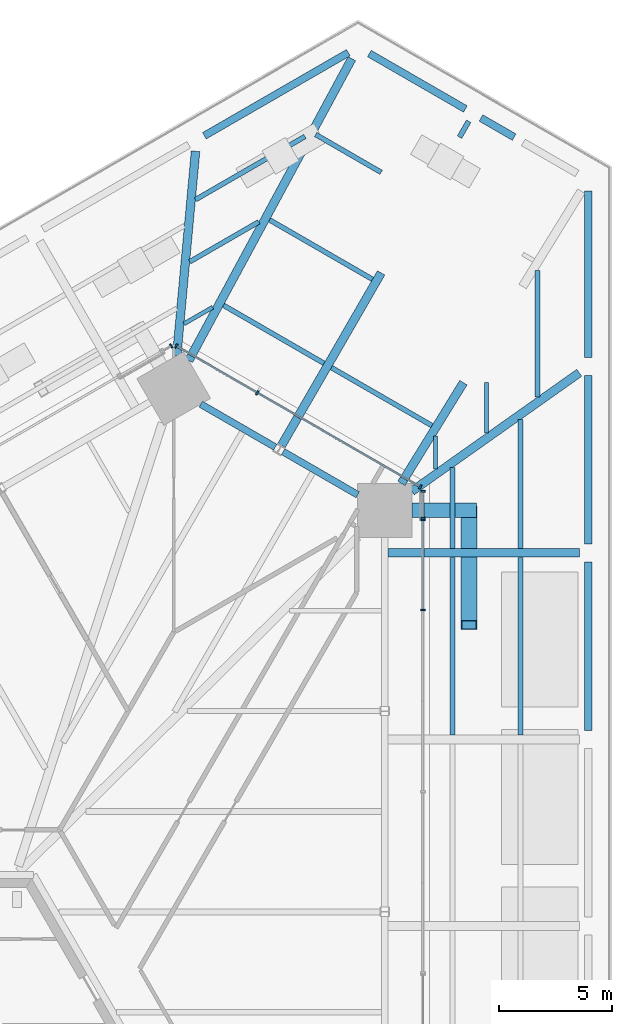
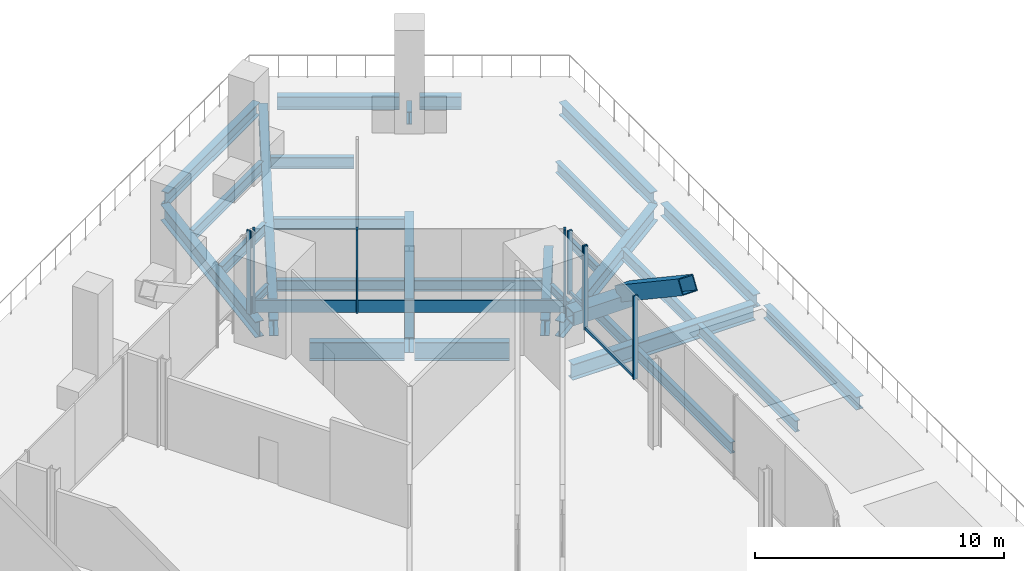
# One storey, part 15 of 38: 29 beams, 14 members, 4 elements without a shape of their own.
"""IFC4 building model written with IfcOpenShell, lengths in metres."""

from ifc_helpers import new_model, si_unit, direction, frame, origin, origin_2d, place, context, subcontext, project, spatial, rectangle, hollow_rectangle, i_section, extrude, source, transform, mapped, material, material_profile, profile_set, type_object, element, aggregate, save


model = new_model("IFC4")

# Units and contexts
model_context = context("Model", 3, precision=1e-05, world=origin(), true_north=direction((0.0, 1.0)))
body_context = subcontext(model_context, "Body", "Model", "MODEL_VIEW")
ifc_project = project(units=[si_unit("LENGTHUNIT", "METRE"), si_unit("AREAUNIT", "SQUARE_METRE"), si_unit("VOLUMEUNIT", "CUBIC_METRE"), si_unit("PLANEANGLEUNIT", "RADIAN"), si_unit("MASSUNIT", "GRAM", prefix="KILO")], contexts=[model_context])

# Site, building, storey
site_placement = place(None, origin())
site = spatial("IfcSite", under=ifc_project, at=site_placement, CompositionType="ELEMENT")
building_placement = place(site_placement, origin())
building = spatial("IfcBuilding", under=site, at=building_placement, Name="Triune Harvest Tower", CompositionType="ELEMENT")
storey_placement = place(building_placement, frame((0.0, 0.0, 16.0)))
storey = spatial("IfcBuildingStorey", under=building, at=storey_placement, Name="L03", CompositionType="ELEMENT", Elevation=16.0)

# Curtain wall, member
ifc_material_1 = material(Name="Aluminium bronze anodised", Category="aluminium")
curtain_wall_type_1 = type_object("IfcCurtainWallType", Name="CW-10 Balcony window wall with insulated spandrel infill", PredefinedType="NOTDEFINED", material=ifc_material_1)
curtain_wall_1_placement = place(storey_placement, origin())
curtain_wall_1 = element("IfcCurtainWall", 1, at=curtain_wall_1_placement, inside=storey, type_object=curtain_wall_type_1, Name="CW-10 B1-F1 L03 run 1002")
ifc_material_2 = material(Name="Aluminium bronze anodised", Category="aluminium")
ifc_material_profile_1 = material_profile(ifc_material_2, rectangle(XDim=0.090087890625, YDim=0.14990234375, at=origin_2d()), Name="TR-6 transom 90 x 150")
ifc_profile_set_1 = profile_set([ifc_material_profile_1], Name="Aluminium bronze anodised")
member_type_1 = type_object("IfcMemberType", Name="TR-6 transom 90 x 150", PredefinedType="USERDEFINED", material=ifc_profile_set_1)
member_1_placement = place(storey_placement, frame((23.371337890625, 22.346923828125, 0.074951171875), z_axis=(0.0, 1.0, 0.0), x_axis=(-1.0, 0.0, 0.0)))
member_1 = element("IfcMember", 2, at=member_1_placement, type_object=member_type_1, Name="CW-10 transom B1-F1 1002.3", ObjectType="TRANSOM", PredefinedType="USERDEFINED", context=body_context, shape_type="SweptSolid", body=[
    extrude(rectangle(XDim=0.090087890625, YDim=0.14990234375, at=origin_2d()), origin(), (0.0, 0.0, 1.0), 3.923095703125),
])

curtain_wall_2_placement = place(storey_placement, origin())
curtain_wall_2 = element("IfcCurtainWall", 3, at=curtain_wall_2_placement, inside=storey, type_object=curtain_wall_type_1, Name="CW-10 B1-F1 L03 run 102")
member_2_placement = place(storey_placement, frame((23.371337890625, 26.419921875, 1.06005859375), z_axis=(0.0, 1.0, 0.0), x_axis=(-1.0, 0.0, 0.0)))
member_2 = element("IfcMember", 4, at=member_2_placement, type_object=member_type_1, Name="CW-10 transom B1-F1 102.1", ObjectType="TRANSOM", PredefinedType="USERDEFINED", context=body_context, shape_type="SweptSolid", body=[
    extrude(rectangle(XDim=0.090087890625, YDim=0.14990234375, at=origin_2d()), origin(), (0.0, 0.0, 1.0), 1.121826171875),
])

# Beams
ifc_material_3 = material(Name="Steel ASTM A992 Gr 50", Category="steel")
ifc_material_profile_2 = material_profile(ifc_material_3, i_section(OverallWidth=0.32763671875, OverallDepth=0.62744140625, WebThickness=0.0166015625, FlangeThickness=0.027587890625, at=origin_2d()), Name="W24x146")
ifc_profile_set_2 = profile_set([ifc_material_profile_2], Name="Steel ASTM A992 Gr 50")
beam_type_1 = type_object("IfcBeamType", Name="PD-4 Podium edge beam W24x146", PredefinedType="BEAM", material=ifc_profile_set_2)
shared_shape_1 = source(origin(), body_context, "Body", "SweptSolid", [
    extrude(i_section(OverallWidth=0.32763671875, OverallDepth=0.62744140625, WebThickness=0.0166015625, FlangeThickness=0.027587890625, at=origin_2d()), origin(), (0.0, 0.0, 1.0), 7.3798828125),
])
beam_1_placement = place(storey_placement, frame((30.715087890625, 33.52001953125, -0.513671875), z_axis=(0.0, 1.0, 0.0), x_axis=(-1.0, 0.0, 0.0)))
element("IfcBeam", 5, at=beam_1_placement, inside=storey, type_object=beam_type_1, Name="beam/L03/PE10", PredefinedType="BEAM", context=body_context, shape_type="MappedRepresentation", body=[
    mapped(shared_shape_1, transform((0.0, 0.0, 0.0), scale=1.0)),
])
shared_shape_2 = source(origin(), body_context, "Body", "SweptSolid", [
    extrude(i_section(OverallWidth=0.32763671875, OverallDepth=0.62744140625, WebThickness=0.0166015625, FlangeThickness=0.027587890625, at=origin_2d()), origin(), (0.0, 0.0, 1.0), 7.47998046875),
])
for number, where, z_axis, x_axis, name in (
    (6, (30.715087890625, 16.9599609375, -0.513671875), (0.0, 1.0, 0.0), (-1.0, 0.0, 0.0), "beam/L03/PE8"),
    (7, (30.715087890625, 25.239990234375, -0.513671875), (0.0, 1.0, 0.0), (-1.0, 0.0, 0.0), "beam/L03/PE9"),
):
    element("IfcBeam", number, at=place(storey_placement, frame(where, z_axis=z_axis, x_axis=x_axis)), inside=storey, type_object=beam_type_1, Name=name, PredefinedType="BEAM", context=body_context, shape_type="MappedRepresentation", body=[
        mapped(shared_shape_2, transform((0.0, 0.0, 0.0), scale=1.0)),
    ])
shared_shape_3 = source(origin(), body_context, "Body", "SweptSolid", [
    extrude(i_section(OverallWidth=0.32763671875, OverallDepth=0.62744140625, WebThickness=0.0166015625, FlangeThickness=0.027587890625, at=origin_2d()), origin(), (0.0, 0.0, 1.0), 1.699951171875),
])
beam_2_placement = place(storey_placement, frame((27.42431640625, 43.300048828125, -0.513671875), z_axis=(-0.866087547558, 0.499892348375, 0.0), x_axis=(-0.499892348375, -0.866087547558, 0.0)))
element("IfcBeam", 8, at=beam_2_placement, inside=storey, type_object=beam_type_1, Name="beam/L03/PE12", PredefinedType="BEAM", context=body_context, shape_type="MappedRepresentation", body=[
    mapped(shared_shape_3, transform((0.0, 0.0, 0.0), scale=1.0)),
])
shared_shape_4 = source(origin(), body_context, "Body", "SweptSolid", [
    extrude(i_section(OverallWidth=0.32763671875, OverallDepth=0.62744140625, WebThickness=0.0166015625, FlangeThickness=0.027587890625, at=origin_2d()), origin(), (0.0, 0.0, 1.0), 4.922607421875),
])
beam_3_placement = place(storey_placement, frame((25.259033203125, 44.550048828125, -0.513671875), z_axis=(-0.866040230151, 0.499974319101, 0.0), x_axis=(-0.499974319101, -0.866040230151, 0.0)))
element("IfcBeam", 9, at=beam_3_placement, inside=storey, type_object=beam_type_1, Name="beam/L03/PE13", PredefinedType="BEAM", context=body_context, shape_type="MappedRepresentation", body=[
    mapped(shared_shape_4, transform((0.0, 0.0, 0.0), scale=1.0)),
])
shared_shape_5 = source(origin(), body_context, "Body", "SweptSolid", [
    extrude(i_section(OverallWidth=0.32763671875, OverallDepth=0.62744140625, WebThickness=0.0166015625, FlangeThickness=0.027587890625, at=origin_2d()), origin(), (0.0, 0.0, 1.0), 7.380126953125),
])
beam_4_placement = place(storey_placement, frame((20.06298828125, 47.050048828125, -0.513671875), z_axis=(-0.866031888401, -0.499988768146, 0.0), x_axis=(0.499988768146, -0.866031888401, 0.0)))
element("IfcBeam", 10, at=beam_4_placement, inside=storey, type_object=beam_type_1, Name="beam/L03/PE14", PredefinedType="BEAM", context=body_context, shape_type="MappedRepresentation", body=[
    mapped(shared_shape_5, transform((0.0, 0.0, 0.0), scale=1.0)),
])
ifc_material_4 = material(Name="Steel ASTM A992 Gr 50", Category="steel")
ifc_material_profile_3 = material_profile(ifc_material_4, i_section(OverallWidth=0.381103515625, OverallDepth=0.772216796875, WebThickness=0.0166015625, FlangeThickness=0.027099609375, at=origin_2d()), Name="W30x173")
ifc_profile_set_3 = profile_set([ifc_material_profile_3], Name="Steel ASTM A992 Gr 50")
beam_type_2 = type_object("IfcBeamType", Name="PD-3 Podium girder W30x173", PredefinedType="BEAM", material=ifc_profile_set_3)
shared_shape_6 = source(origin(), body_context, "Body", "SweptSolid", [
    extrude(i_section(OverallWidth=0.381103515625, OverallDepth=0.772216796875, WebThickness=0.0166015625, FlangeThickness=0.027099609375, at=origin_2d()), origin(), (0.0, 0.0, 1.0), 5.249755859375),
])
beam_5_placement = place(storey_placement, frame((25.171875, 32.39990234375, -0.586181640625), z_axis=(-0.524432098378, -0.851452273584, 0.0), x_axis=(0.851452273584, -0.524432098378, 0.0)))
element("IfcBeam", 11, at=beam_5_placement, inside=storey, type_object=beam_type_2, Name="beam/L03/PR13", PredefinedType="BEAM", context=body_context, shape_type="MappedRepresentation", body=[
    mapped(shared_shape_6, transform((0.0, 0.0, 0.0), scale=1.0)),
])
shared_shape_7 = source(origin(), body_context, "Body", "SweptSolid", [
    extrude(i_section(OverallWidth=0.381103515625, OverallDepth=0.772216796875, WebThickness=0.0166015625, FlangeThickness=0.027099609375, at=origin_2d()), origin(), (0.0, 0.0, 1.0), 9.107421875),
])
beam_6_placement = place(storey_placement, frame((30.315185546875, 32.837158203125, -0.586181640625), z_axis=(-0.816463107169, -0.577397605323, 0.0), x_axis=(0.577397605323, -0.816463107169, 0.0)))
element("IfcBeam", 12, at=beam_6_placement, inside=storey, type_object=beam_type_2, Name="beam/L03/PR11", PredefinedType="BEAM", context=body_context, shape_type="MappedRepresentation", body=[
    mapped(shared_shape_7, transform((0.0, 0.0, 0.0), scale=1.0)),
])
ifc_material_5 = material(Name="Steel ASTM A992 Gr 50", Category="steel")
ifc_material_profile_4 = material_profile(ifc_material_5, i_section(OverallWidth=0.22900390625, OverallDepth=0.612060546875, WebThickness=0.011962890625, FlangeThickness=0.01953125, at=origin_2d()), Name="W24x84")
ifc_profile_set_4 = profile_set([ifc_material_profile_4], Name="Steel ASTM A992 Gr 50")
beam_type_3 = type_object("IfcBeamType", Name="PD-7 Podium short girder W24x84", PredefinedType="BEAM", material=ifc_profile_set_4)
shared_shape_8 = source(origin(), body_context, "Body", "SweptSolid", [
    extrude(i_section(OverallWidth=0.22900390625, OverallDepth=0.612060546875, WebThickness=0.011962890625, FlangeThickness=0.01953125, at=origin_2d()), origin(), (0.0, 0.0, 1.0), 0.8125),
])
beam_7_placement = place(storey_placement, frame((25.405517578125, 44.003662109375, -0.506103515625), z_axis=(-0.500017246033, -0.866015446554, 0.0), x_axis=(0.866015446554, -0.500017246033, 0.0)))
element("IfcBeam", 13, at=beam_7_placement, inside=storey, type_object=beam_type_3, Name="beam/L03/PR14", PredefinedType="BEAM", context=body_context, shape_type="MappedRepresentation", body=[
    mapped(shared_shape_8, transform((0.0, 0.0, 0.0), scale=1.0)),
])
shared_shape_9 = source(origin(), body_context, "Body", "SweptSolid", [
    extrude(i_section(OverallWidth=0.381103515625, OverallDepth=0.772216796875, WebThickness=0.0166015625, FlangeThickness=0.027099609375, at=origin_2d()), origin(), (0.0, 0.0, 1.0), 8.84814453125),
])
beam_8_placement = place(storey_placement, frame((21.52001953125, 37.273681640625, -0.586181640625), z_axis=(-0.500005886554, -0.866022005154, 0.0), x_axis=(0.866022005154, -0.500005886554, 0.0)))
element("IfcBeam", 14, at=beam_8_placement, inside=storey, type_object=beam_type_2, Name="beam/L03/PR15", PredefinedType="BEAM", context=body_context, shape_type="MappedRepresentation", body=[
    mapped(shared_shape_9, transform((0.0, 0.0, 0.0), scale=1.0)),
])
shared_shape_10 = source(origin(), body_context, "Body", "SweptSolid", [
    extrude(i_section(OverallWidth=0.381103515625, OverallDepth=0.772216796875, WebThickness=0.0166015625, FlangeThickness=0.027099609375, at=origin_2d()), origin(), (0.0, 0.0, 1.0), 15.232666015625),
])
beam_9_placement = place(storey_placement, frame((20.216796875, 46.783203125, -0.586181640625), z_axis=(-0.475168024555, -0.879895078086, 0.0), x_axis=(0.879895078086, -0.475168024555, 0.0)))
element("IfcBeam", 15, at=beam_9_placement, inside=storey, type_object=beam_type_2, Name="beam/L03/PR16", PredefinedType="BEAM", context=body_context, shape_type="MappedRepresentation", body=[
    mapped(shared_shape_10, transform((0.0, 0.0, 0.0), scale=1.0)),
])
shared_shape_11 = source(origin(), body_context, "Body", "SweptSolid", [
    extrude(i_section(OverallWidth=0.381103515625, OverallDepth=0.772216796875, WebThickness=0.0166015625, FlangeThickness=0.027099609375, at=origin_2d()), origin(), (0.0, 0.0, 1.0), 9.107177734375),
])
beam_10_placement = place(storey_placement, frame((13.2802734375, 42.672119140625, -0.586181640625), z_axis=(-0.091816732647, -0.995775922387, 0.0), x_axis=(0.995775922387, -0.091816732647, 0.0)))
element("IfcBeam", 16, at=beam_10_placement, inside=storey, type_object=beam_type_2, Name="beam/L03/PR17", PredefinedType="BEAM", context=body_context, shape_type="MappedRepresentation", body=[
    mapped(shared_shape_11, transform((0.0, 0.0, 0.0), scale=1.0)),
])
ifc_material_6 = material(Name="Steel ASTM A992 Gr 50", Category="steel")
ifc_material_profile_5 = material_profile(ifc_material_6, i_section(OverallWidth=0.2138671875, OverallDepth=0.548583984375, WebThickness=0.0146484375, FlangeThickness=0.023681640625, at=origin_2d()), Name="W21x93")
ifc_profile_set_5 = profile_set([ifc_material_profile_5], Name="Steel ASTM A992 Gr 50")
beam_type_4 = type_object("IfcBeamType", Name="PD-5 Podium joist W21x93", PredefinedType="JOIST", material=ifc_profile_set_5)
shared_shape_12 = source(origin(), body_context, "Body", "SweptSolid", [
    extrude(i_section(OverallWidth=0.2138671875, OverallDepth=0.548583984375, WebThickness=0.0146484375, FlangeThickness=0.023681640625, at=origin_2d()), origin(), (0.0, 0.0, 1.0), 5.613525390625),
])
beam_11_placement = place(storey_placement, frame((28.456298828125, 31.755859375, -0.474365234375), z_axis=(0.0, 1.0, 0.0), x_axis=(-1.0, 0.0, 0.0)))
element("IfcBeam", 17, at=beam_11_placement, inside=storey, type_object=beam_type_4, Name="beam/L03/PJ20", PredefinedType="JOIST", context=body_context, shape_type="MappedRepresentation", body=[
    mapped(shared_shape_12, transform((0.0, 0.0, 0.0), scale=1.0)),
])
ifc_material_7 = material(Name="Steel ASTM A992 Gr 50", Category="steel")
ifc_material_profile_6 = material_profile(ifc_material_7, i_section(OverallWidth=0.180908203125, OverallDepth=0.41650390625, WebThickness=0.010986328125, FlangeThickness=0.01806640625, at=origin_2d()), Name="W16x57")
ifc_profile_set_6 = profile_set([ifc_material_profile_6], Name="Steel ASTM A992 Gr 50")
beam_type_5 = type_object("IfcBeamType", Name="PD-6 Podium short joist W16x57", PredefinedType="JOIST", material=ifc_profile_set_6)
shared_shape_13 = source(origin(), body_context, "Body", "SweptSolid", [
    extrude(i_section(OverallWidth=0.180908203125, OverallDepth=0.41650390625, WebThickness=0.010986328125, FlangeThickness=0.01806640625, at=origin_2d()), origin(), (0.0, 0.0, 1.0), 2.24169921875),
])
beam_12_placement = place(storey_placement, frame((26.197265625, 30.158203125, -0.408203125), z_axis=(0.0, 1.0, 0.0), x_axis=(-1.0, 0.0, 0.0)))
element("IfcBeam", 18, at=beam_12_placement, inside=storey, type_object=beam_type_5, Name="beam/L03/PJ21", PredefinedType="JOIST", context=body_context, shape_type="MappedRepresentation", body=[
    mapped(shared_shape_13, transform((0.0, 0.0, 0.0), scale=1.0)),
])
shared_shape_14 = source(origin(), body_context, "Body", "SweptSolid", [
    extrude(i_section(OverallWidth=0.180908203125, OverallDepth=0.41650390625, WebThickness=0.010986328125, FlangeThickness=0.01806640625, at=origin_2d()), origin(), (0.0, 0.0, 1.0), 1.473388671875),
])
for number, where, z_axis, x_axis, name in (
    (19, (23.9384765625, 28.560791015625, -0.408203125), (0.0, 1.0, 0.0), (-1.0, 0.0, 0.0), "beam/L03/PJ22"),
    (20, (14.041259765625, 35.748291015625, -0.408203125), (-0.866083503307, -0.499899355171, 0.0), (0.499899355171, -0.866083503307, 0.0), "beam/L03/PJ30"),
):
    element("IfcBeam", number, at=place(storey_placement, frame(where, z_axis=z_axis, x_axis=x_axis)), inside=storey, type_object=beam_type_5, Name=name, PredefinedType="JOIST", context=body_context, shape_type="MappedRepresentation", body=[
        mapped(shared_shape_14, transform((0.0, 0.0, 0.0), scale=1.0)),
    ])
shared_shape_15 = source(origin(), body_context, "Body", "SweptSolid", [
    extrude(i_section(OverallWidth=0.2138671875, OverallDepth=0.548583984375, WebThickness=0.0146484375, FlangeThickness=0.023681640625, at=origin_2d()), origin(), (0.0, 0.0, 1.0), 5.72607421875),
])
beam_13_placement = place(storey_placement, frame((27.703125, 25.030517578125, -0.474365234375), z_axis=(0.0, 1.0, 0.0), x_axis=(-1.0, 0.0, 0.0)))
element("IfcBeam", 21, at=beam_13_placement, inside=storey, type_object=beam_type_4, Name="beam/L03/PJ18", PredefinedType="JOIST", context=body_context, shape_type="MappedRepresentation", body=[
    mapped(shared_shape_15, transform((0.0, 0.0, 0.0), scale=1.0)),
])
shared_shape_16 = source(origin(), body_context, "Body", "SweptSolid", [
    extrude(i_section(OverallWidth=0.2138671875, OverallDepth=0.548583984375, WebThickness=0.0146484375, FlangeThickness=0.023681640625, at=origin_2d()), origin(), (0.0, 0.0, 1.0), 3.59619140625),
])
beam_14_placement = place(storey_placement, frame((24.69140625, 25.030517578125, -0.474365234375), z_axis=(0.0, 1.0, 0.0), x_axis=(-1.0, 0.0, 0.0)))
element("IfcBeam", 22, at=beam_14_placement, inside=storey, type_object=beam_type_4, Name="beam/L03/PJ19", PredefinedType="JOIST", context=body_context, shape_type="MappedRepresentation", body=[
    mapped(shared_shape_16, transform((0.0, 0.0, 0.0), scale=1.0)),
])
shared_shape_17 = source(origin(), body_context, "Body", "SweptSolid", [
    extrude(i_section(OverallWidth=0.2138671875, OverallDepth=0.548583984375, WebThickness=0.0146484375, FlangeThickness=0.023681640625, at=origin_2d()), origin(), (0.0, 0.0, 1.0), 7.89892578125),
])
for number, where, z_axis, x_axis, name in (
    (23, (27.703125, 16.75048828125, -0.474365234375), (0.0, 1.0, 0.0), (-1.0, 0.0, 0.0), "beam/L03/PJ16"),
    (24, (24.69140625, 16.75048828125, -0.474365234375), (0.0, 1.0, 0.0), (-1.0, 0.0, 0.0), "beam/L03/PJ17"),
):
    element("IfcBeam", number, at=place(storey_placement, frame(where, z_axis=z_axis, x_axis=x_axis)), inside=storey, type_object=beam_type_4, Name=name, PredefinedType="JOIST", context=body_context, shape_type="MappedRepresentation", body=[
        mapped(shared_shape_17, transform((0.0, 0.0, 0.0), scale=1.0)),
    ])
shared_shape_18 = source(origin(), body_context, "Body", "SweptSolid", [
    extrude(i_section(OverallWidth=0.2138671875, OverallDepth=0.548583984375, WebThickness=0.0146484375, FlangeThickness=0.023681640625, at=origin_2d()), origin(), (0.0, 0.0, 1.0), 5.151611328125),
])
beam_15_placement = place(storey_placement, frame((23.7734375, 30.492919921875, -0.474365234375), z_axis=(-0.866035639972, 0.499982269985, 0.0), x_axis=(-0.499982269985, -0.866035639972, 0.0)))
element("IfcBeam", 25, at=beam_15_placement, inside=storey, type_object=beam_type_4, Name="beam/L03/PJ24", PredefinedType="JOIST", context=body_context, shape_type="MappedRepresentation", body=[
    mapped(shared_shape_18, transform((0.0, 0.0, 0.0), scale=1.0)),
])
shared_shape_19 = source(origin(), body_context, "Body", "SweptSolid", [
    extrude(i_section(OverallWidth=0.2138671875, OverallDepth=0.548583984375, WebThickness=0.0146484375, FlangeThickness=0.023681640625, at=origin_2d()), origin(), (0.0, 0.0, 1.0), 3.355224609375),
])
beam_16_placement = place(storey_placement, frame((21.52001953125, 41.737060546875, -0.474365234375), z_axis=(-0.866013522419, 0.500020578564, 0.0), x_axis=(-0.500020578564, -0.866013522419, 0.0)))
element("IfcBeam", 26, at=beam_16_placement, inside=storey, type_object=beam_type_4, Name="beam/L03/PJ25", PredefinedType="JOIST", context=body_context, shape_type="MappedRepresentation", body=[
    mapped(shared_shape_19, transform((0.0, 0.0, 0.0), scale=1.0)),
])
shared_shape_20 = source(origin(), body_context, "Body", "SweptSolid", [
    extrude(i_section(OverallWidth=0.2138671875, OverallDepth=0.548583984375, WebThickness=0.0146484375, FlangeThickness=0.023681640625, at=origin_2d()), origin(), (0.0, 0.0, 1.0), 5.27392578125),
])
beam_17_placement = place(storey_placement, frame((21.135009765625, 36.98779296875, -0.474365234375), z_axis=(-0.866026783594, 0.499997610092, 0.0), x_axis=(-0.499997610092, -0.866026783594, 0.0)))
element("IfcBeam", 27, at=beam_17_placement, inside=storey, type_object=beam_type_4, Name="beam/L03/PJ26", PredefinedType="JOIST", context=body_context, shape_type="MappedRepresentation", body=[
    mapped(shared_shape_20, transform((0.0, 0.0, 0.0), scale=1.0)),
])
shared_shape_21 = source(origin(), body_context, "Body", "SweptSolid", [
    extrude(i_section(OverallWidth=0.2138671875, OverallDepth=0.548583984375, WebThickness=0.0146484375, FlangeThickness=0.023681640625, at=origin_2d()), origin(), (0.0, 0.0, 1.0), 5.1513671875),
])
beam_18_placement = place(storey_placement, frame((18.982177734375, 33.259033203125, -0.474365234375), z_axis=(-0.866023792161, 0.500002791403, 0.0), x_axis=(-0.500002791403, -0.866023792161, 0.0)))
element("IfcBeam", 28, at=beam_18_placement, inside=storey, type_object=beam_type_4, Name="beam/L03/PJ27", PredefinedType="JOIST", context=body_context, shape_type="MappedRepresentation", body=[
    mapped(shared_shape_21, transform((0.0, 0.0, 0.0), scale=1.0)),
])
shared_shape_22 = source(origin(), body_context, "Body", "SweptSolid", [
    extrude(i_section(OverallWidth=0.2138671875, OverallDepth=0.548583984375, WebThickness=0.0146484375, FlangeThickness=0.023681640625, at=origin_2d()), origin(), (0.0, 0.0, 1.0), 5.61376953125),
])
beam_19_placement = place(storey_placement, frame((18.134765625, 43.328369140625, -0.474365234375), z_axis=(-0.866021183736, -0.500007309266, 0.0), x_axis=(0.500007309266, -0.866021183736, 0.0)))
element("IfcBeam", 29, at=beam_19_placement, inside=storey, type_object=beam_type_4, Name="beam/L03/PJ28", PredefinedType="JOIST", context=body_context, shape_type="MappedRepresentation", body=[
    mapped(shared_shape_22, transform((0.0, 0.0, 0.0), scale=1.0)),
])
shared_shape_23 = source(origin(), body_context, "Body", "SweptSolid", [
    extrude(i_section(OverallWidth=0.2138671875, OverallDepth=0.548583984375, WebThickness=0.0146484375, FlangeThickness=0.023681640625, at=origin_2d()), origin(), (0.0, 0.0, 1.0), 3.54345703125),
])
beam_20_placement = place(storey_placement, frame((16.087890625, 39.538330078125, -0.474365234375), z_axis=(-0.866016916595, -0.500014699955, 0.0), x_axis=(0.500014699955, -0.866016916595, 0.0)))
element("IfcBeam", 30, at=beam_20_placement, inside=storey, type_object=beam_type_4, Name="beam/L03/PJ29", PredefinedType="JOIST", context=body_context, shape_type="MappedRepresentation", body=[
    mapped(shared_shape_23, transform((0.0, 0.0, 0.0), scale=1.0)),
])
ifc_material_8 = material(Name="Steel ASTM A992 Gr 50", Category="steel")
ifc_material_profile_7 = material_profile(ifc_material_8, i_section(OverallWidth=0.3046875, OverallDepth=0.914306640625, WebThickness=0.0166015625, FlangeThickness=0.02587890625, at=origin_2d()), Name="W36x160")
ifc_profile_set_7 = profile_set([ifc_material_profile_7], Name="Steel ASTM A992 Gr 50")
beam_type_6 = type_object("IfcBeamType", Name="SB-1 Spandrel beam W36x160", PredefinedType="SPANDREL", material=ifc_profile_set_7)
shared_shape_24 = source(origin(), body_context, "Body", "SweptSolid", [
    extrude(i_section(OverallWidth=0.3046875, OverallDepth=0.914306640625, WebThickness=0.0166015625, FlangeThickness=0.02587890625, at=origin_2d()), origin(), (0.0, 0.0, 1.0), 3.822265625),
])
beam_21_placement = place(storey_placement, frame((20.4794921875, 27.4228515625, -0.6572265625), z_axis=(-0.866033487859, 0.499985997711, 0.0), x_axis=(-0.499985997711, -0.866033487859, 0.0)))
element("IfcBeam", 31, at=beam_21_placement, inside=storey, type_object=beam_type_6, Name="beam/L03/SB7", PredefinedType="SPANDREL", context=body_context, shape_type="MappedRepresentation", body=[
    mapped(shared_shape_24, transform((0.0, 0.0, 0.0), scale=1.0)),
])
shared_shape_25 = source(origin(), body_context, "Body", "SweptSolid", [
    extrude(i_section(OverallWidth=0.3046875, OverallDepth=0.914306640625, WebThickness=0.0166015625, FlangeThickness=0.02587890625, at=origin_2d()), origin(), (0.0, 0.0, 1.0), 3.822509765625),
])
beam_22_placement = place(storey_placement, frame((16.8193359375, 29.535888671875, -0.6572265625), z_axis=(-0.866005830769, 0.500033899925, 0.0), x_axis=(-0.500033899925, -0.866005830769, 0.0)))
element("IfcBeam", 32, at=beam_22_placement, inside=storey, type_object=beam_type_6, Name="beam/L03/SB8", PredefinedType="SPANDREL", context=body_context, shape_type="MappedRepresentation", body=[
    mapped(shared_shape_25, transform((0.0, 0.0, 0.0), scale=1.0)),
])
shared_shape_26 = source(origin(), body_context, "Body", "SweptSolid", [
    extrude(i_section(OverallWidth=0.381103515625, OverallDepth=0.772216796875, WebThickness=0.0166015625, FlangeThickness=0.027099609375, at=origin_2d()), origin(), (0.0, 0.0, 1.0), 8.4833984375),
])
beam_23_placement = place(storey_placement, frame((30.315185546875, 24.840087890625, -0.586181640625), z_axis=(-1.0, 0.0, 0.0), x_axis=(0.0, -1.0, 0.0)))
element("IfcBeam", 33, at=beam_23_placement, inside=storey, type_object=beam_type_2, Name="beam/L03/PR10", PredefinedType="BEAM", context=body_context, shape_type="MappedRepresentation", body=[
    mapped(shared_shape_26, transform((0.0, 0.0, 0.0), scale=1.0)),
])

# Members
ifc_material_9 = material(Name="Steel ASTM A572 Gr 50", Category="steel")
ifc_material_profile_8 = material_profile(ifc_material_9, hollow_rectangle(XDim=0.699951171875, YDim=0.699951171875, WallThickness=0.0400390625, at=origin_2d()), Name="Box 700x700x40")
ifc_profile_set_8 = profile_set([ifc_material_profile_8], Name="Steel ASTM A572 Gr 50")
member_type_2 = type_object("IfcMemberType", Name="BR-1 Brace Box 700x700x40", PredefinedType="BRACE", material=ifc_profile_set_8)
shared_shape_27 = source(origin(), body_context, "Body", "SweptSolid", [
    extrude(hollow_rectangle(XDim=0.699951171875, YDim=0.699951171875, WallThickness=0.0400390625, at=origin_2d()), origin(), (0.0, 0.0, 1.0), 6.129150390625),
])
member_3_placement = place(storey_placement, frame((25.42138671875, 26.72998046875, 0.889892578125), z_axis=(0.0, -0.830920988668, 0.556390429996), x_axis=(1.0, 0.0, 0.0)))
element("IfcMember", 34, at=member_3_placement, inside=storey, type_object=member_type_2, Name="brace/B1-F1/d2/1", PredefinedType="BRACE", context=body_context, shape_type="MappedRepresentation", body=[
    mapped(shared_shape_27, transform((0.0, 0.0, 0.0), scale=1.0)),
])
ifc_material_10 = material(Name="Steel ASTM A572 Gr 50", Category="steel")
ifc_material_profile_9 = material_profile(ifc_material_10, hollow_rectangle(XDim=0.64990234375, YDim=0.64990234375, WallThickness=0.070068359375, at=origin_2d()), Name="Box 650x650x70")
ifc_profile_set_9 = profile_set([ifc_material_profile_9], Name="Steel ASTM A572 Gr 50")
member_type_3 = type_object("IfcMemberType", Name="BS-1 Brace stub Box 650x650x70", PredefinedType="STRUT", material=ifc_profile_set_9)
shared_shape_28 = source(origin(), body_context, "Body", "SweptSolid", [
    extrude(hollow_rectangle(XDim=0.64990234375, YDim=0.64990234375, WallThickness=0.070068359375, at=origin_2d()), origin(), (0.0, 0.0, 1.0), 2.8720703125),
])
member_4_placement = place(storey_placement, frame((22.87939453125, 26.72998046875, 0.60009765625), z_axis=(1.0, 0.0, 0.0), x_axis=(0.0, 1.0, 0.0)))
element("IfcMember", 35, at=member_4_placement, inside=storey, type_object=member_type_3, Name="brace/B1-F1/stub3", PredefinedType="STRUT", context=body_context, shape_type="MappedRepresentation", body=[
    mapped(shared_shape_28, transform((0.0, 0.0, 0.0), scale=1.0)),
])

# Member
ifc_material_11 = material(Name="Aluminium bronze anodised", Category="aluminium")
ifc_material_profile_10 = material_profile(ifc_material_11, rectangle(XDim=0.199951171875, YDim=0.074951171875, at=origin_2d()), Name="MU-6 mullion 75 x 200")
ifc_profile_set_10 = profile_set([ifc_material_profile_10], Name="Aluminium bronze anodised")
member_type_4 = type_object("IfcMemberType", Name="MU-6 mullion 75 x 200", PredefinedType="MULLION", material=ifc_profile_set_10)
shared_shape_29 = source(origin(), body_context, "Body", "SweptSolid", [
    extrude(rectangle(XDim=0.199951171875, YDim=0.074951171875, at=origin_2d()), origin(), (0.0, 0.0, 1.0), 3.114990234375),
])
member_5_placement = place(storey_placement, frame((23.371337890625, 26.382568359375, 0.985107421875), z_axis=(0.0, 0.0, 1.0), x_axis=(-1.0, 0.0, 0.0)))
member_5 = element("IfcMember", 36, at=member_5_placement, type_object=member_type_4, Name="CW-10 mullion B1-F1 102.1", PredefinedType="MULLION", context=body_context, shape_type="MappedRepresentation", body=[
    mapped(shared_shape_29, transform((0.0, 0.0, 0.0), scale=1.0)),
])

member_6_placement = place(storey_placement, frame((23.371337890625, 27.579345703125, 0.985107421875), z_axis=(0.0, 0.0, 1.0), x_axis=(-1.0, 0.0, 0.0)))
member_6 = element("IfcMember", 37, at=member_6_placement, type_object=member_type_4, Name="CW-10 mullion B1-F1 102.2", PredefinedType="MULLION", context=body_context, shape_type="MappedRepresentation", body=[
    mapped(shared_shape_29, transform((0.0, 0.0, 0.0), scale=1.0)),
])

aggregate(curtain_wall_2, [member_5, member_6, member_2])

shared_shape_30 = source(origin(), body_context, "Body", "SweptSolid", [
    extrude(rectangle(XDim=0.199951171875, YDim=0.074951171875, at=origin_2d()), origin(), (0.0, 0.0, 1.0), 4.10009765625),
])
member_7_placement = place(storey_placement, frame((23.371337890625, 22.309326171875, 0.0), z_axis=(0.0, 0.0, 1.0), x_axis=(-1.0, 0.0, 0.0)))
member_7 = element("IfcMember", 38, at=member_7_placement, type_object=member_type_4, Name="CW-10 mullion B1-F1 1002.5", PredefinedType="MULLION", context=body_context, shape_type="MappedRepresentation", body=[
    mapped(shared_shape_30, transform((0.0, 0.0, 0.0), scale=1.0)),
])

member_8_placement = place(storey_placement, frame((23.371337890625, 26.3076171875, 0.0), z_axis=(0.0, 0.0, 1.0), x_axis=(-1.0, 0.0, 0.0)))
member_8 = element("IfcMember", 39, at=member_8_placement, type_object=member_type_4, Name="CW-10 mullion B1-F1 1002.6", PredefinedType="MULLION", context=body_context, shape_type="MappedRepresentation", body=[
    mapped(shared_shape_30, transform((0.0, 0.0, 0.0), scale=1.0)),
])

aggregate(curtain_wall_1, [member_7, member_8, member_1])

# Curtain wall, member
ifc_material_12 = material(Name="Aluminium bronze anodised", Category="aluminium")
curtain_wall_type_2 = type_object("IfcCurtainWallType", Name="CW-6 Balcony window wall", PredefinedType="NOTDEFINED", material=ifc_material_12)
curtain_wall_3_placement = place(storey_placement, origin())
curtain_wall_3 = element("IfcCurtainWall", 40, at=curtain_wall_3_placement, inside=storey, type_object=curtain_wall_type_2, Name="CW-6 B1-F3 L03 run 1")
member_9_placement = place(storey_placement, frame((12.19873046875, 34.02978515625, 0.0), z_axis=(0.0, 0.0, 1.0), x_axis=(0.499975448906, -0.866039577901, 0.0)))
member_9 = element("IfcMember", 41, at=member_9_placement, type_object=member_type_4, Name="CW-6 mullion B1-F3 1.1", PredefinedType="MULLION", context=body_context, shape_type="MappedRepresentation", body=[
    mapped(shared_shape_30, transform((0.0, 0.0, 0.0), scale=1.0)),
])
aggregate(curtain_wall_3, [member_9])

# Curtain wall, members
ifc_material_13 = material(Name="Aluminium bronze anodised", Category="aluminium")
curtain_wall_type_3 = type_object("IfcCurtainWallType", Name="CW-3 Farm floor curtain wall", PredefinedType="NOTDEFINED", material=ifc_material_13)
curtain_wall_4_placement = place(storey_placement, origin())
curtain_wall_4 = element("IfcCurtainWall", 42, at=curtain_wall_4_placement, inside=storey, type_object=curtain_wall_type_3, Name="CW-3 B1-F2 L03 run 1")
ifc_material_14 = material(Name="Aluminium bronze anodised", Category="aluminium")
ifc_material_profile_11 = material_profile(ifc_material_14, rectangle(XDim=0.199951171875, YDim=0.080078125, at=origin_2d()), Name="MU-3 mullion 80 x 200")
ifc_profile_set_11 = profile_set([ifc_material_profile_11], Name="Aluminium bronze anodised")
member_type_5 = type_object("IfcMemberType", Name="MU-3 mullion 80 x 200", PredefinedType="MULLION", material=ifc_profile_set_11)
shared_shape_31 = source(origin(), body_context, "Body", "SweptSolid", [
    extrude(rectangle(XDim=0.199951171875, YDim=0.080078125, at=origin_2d()), origin(), (0.0, 0.0, 1.0), 4.10009765625),
])
member_10_placement = place(storey_placement, frame((23.2587890625, 27.771728515625, 0.0), z_axis=(0.0, 0.0, 1.0), x_axis=(-0.499998715149, -0.866026145592, 0.0)))
member_10 = element("IfcMember", 43, at=member_10_placement, type_object=member_type_5, Name="CW-3 mullion B1-F2 1.1", PredefinedType="MULLION", context=body_context, shape_type="MappedRepresentation", body=[
    mapped(shared_shape_31, transform((0.0, 0.0, 0.0), scale=1.0)),
])
member_11_placement = place(storey_placement, frame((16.0224609375, 31.94970703125, 0.0), z_axis=(0.0, 0.0, 1.0), x_axis=(-0.499998715149, -0.866026145592, 0.0)))
member_11 = element("IfcMember", 44, at=member_11_placement, type_object=member_type_5, Name="CW-3 mullion B1-F2 1.3", PredefinedType="MULLION", context=body_context, shape_type="MappedRepresentation", body=[
    mapped(shared_shape_31, transform((0.0, 0.0, 0.0), scale=1.0)),
])
member_12_placement = place(storey_placement, frame((12.421630859375, 34.028564453125, 0.0), z_axis=(0.0, 0.0, 1.0), x_axis=(-0.499998715149, -0.866026145592, 0.0)))
member_12 = element("IfcMember", 45, at=member_12_placement, type_object=member_type_5, Name="CW-3 mullion B1-F2 1.4", PredefinedType="MULLION", context=body_context, shape_type="MappedRepresentation", body=[
    mapped(shared_shape_31, transform((0.0, 0.0, 0.0), scale=1.0)),
])
ifc_material_15 = material(Name="Aluminium bronze anodised", Category="aluminium")
ifc_material_profile_12 = material_profile(ifc_material_15, rectangle(XDim=0.090087890625, YDim=0.60009765625, at=origin_2d()), Name="TR-3 transom 90 x 600")
ifc_profile_set_12 = profile_set([ifc_material_profile_12], Name="Aluminium bronze anodised")
member_type_6 = type_object("IfcMemberType", Name="TR-3 transom 90 x 600", PredefinedType="USERDEFINED", material=ifc_profile_set_12)
shared_shape_32 = source(origin(), body_context, "Body", "SweptSolid", [
    extrude(rectangle(XDim=0.090087890625, YDim=0.60009765625, at=origin_2d()), origin(), (0.0, 0.0, 1.0), 8.27587890625),
])
member_13_placement = place(storey_placement, frame((23.22412109375, 27.791748046875, 0.300048828125), z_axis=(-0.866021501281, 0.500006759273, 0.0), x_axis=(-0.500006759273, -0.866021501281, 0.0)))
member_13 = element("IfcMember", 46, at=member_13_placement, type_object=member_type_6, Name="CW-3 transom B1-F2 1.1", ObjectType="TRANSOM", PredefinedType="USERDEFINED", context=body_context, shape_type="MappedRepresentation", body=[
    mapped(shared_shape_32, transform((0.0, 0.0, 0.0), scale=1.0)),
])
shared_shape_33 = source(origin(), body_context, "Body", "SweptSolid", [
    extrude(rectangle(XDim=0.090087890625, YDim=0.60009765625, at=origin_2d()), origin(), (0.0, 0.0, 1.0), 4.077880859375),
])
member_14_placement = place(storey_placement, frame((15.98779296875, 31.9697265625, 0.300048828125), z_axis=(-0.866035038465, 0.499983311872, 0.0), x_axis=(-0.499983311872, -0.866035038465, 0.0)))
member_14 = element("IfcMember", 47, at=member_14_placement, type_object=member_type_6, Name="CW-3 transom B1-F2 1.2", ObjectType="TRANSOM", PredefinedType="USERDEFINED", context=body_context, shape_type="MappedRepresentation", body=[
    mapped(shared_shape_33, transform((0.0, 0.0, 0.0), scale=1.0)),
])
aggregate(curtain_wall_4, [member_10, member_11, member_12, member_13, member_14])

save(model, "model.ifc")
